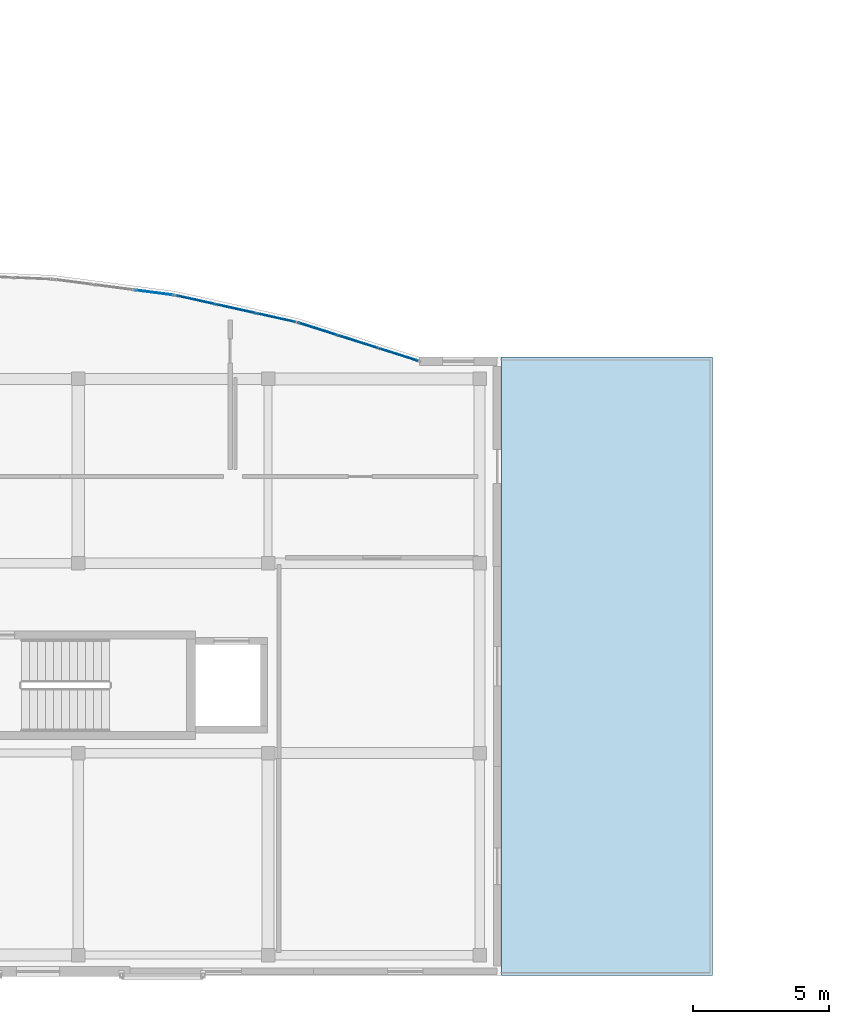
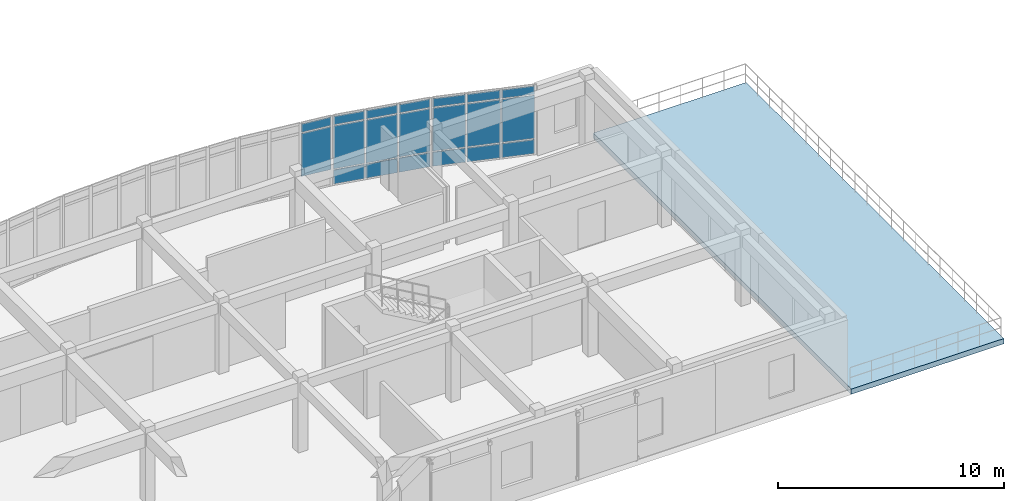
# One storey, part 65 of 91: 20 plates, 1 slab, 3 elements without a shape of their own.
"""IFC4 building model written with IfcOpenShell, lengths in metres."""

import ifcopenshell
import ifcopenshell.guid

model = None  # the IFC model being written
_history = None  # IfcOwnerHistory: only IFC2X3 demands one
_inside = {}  # id of a spatial element -> (the spatial element, [elements in it])
_under = {}  # id of a project, library or spatial element -> (it, [spatial elements below it])
_declared = {}  # id of a project -> (the project, [libraries it declares])
_typed = {}  # id of a type object -> (the type object, [elements of that type])
_made_of = {}  # id of a material, layer set ... -> (it, [elements and type objects made of it])


def new_model(schema):
    """Start an empty IFC model of exactly this schema.

    Asked for "IFC4X3", IfcOpenShell would pick the latest addendum, in which some entities
    have other attributes; the version numbers below select the first issue.
    IFC2X3 requires an IfcOwnerHistory on every rooted entity: one is made here for all.
    """
    global model, _history
    if schema == "IFC4X3":
        model = ifcopenshell.file(schema_version=(4, 3, 0, 0))
    else:
        model = ifcopenshell.file(schema=schema)
    _inside.clear()
    _under.clear()
    _declared.clear()
    _typed.clear()
    _made_of.clear()
    _history = None
    if model.schema == "IFC2X3":
        org = make("IfcOrganization", Name="unknown")
        user = make(
            "IfcPersonAndOrganization",
            ThePerson=make("IfcPerson", FamilyName="unknown"),
            TheOrganization=org,
        )
        app = make(
            "IfcApplication",
            ApplicationDeveloper=org,
            Version="unknown",
            ApplicationFullName="unknown",
            ApplicationIdentifier="unknown",
        )
        _history = make(
            "IfcOwnerHistory",
            OwningUser=user,
            OwningApplication=app,
            ChangeAction="ADDED",
            CreationDate=0,
        )
    return model


def make(cls, **values):
    """One entity of the class cls with the attributes given. An attribute that is None is left unset."""
    return model.create_entity(
        cls, **{name: value for name, value in values.items() if value is not None}
    )


def rooted(cls, **values):
    """An entity with a GlobalId (a new one), such as an element, a storey or a relation."""
    return make(cls, GlobalId=ifcopenshell.guid.new(), OwnerHistory=_history, **values)


def si_unit(unit_type, name, prefix=None):
    """IfcSIUnit, for example si_unit("LENGTHUNIT", "METRE", prefix="MILLI")."""
    return make("IfcSIUnit", UnitType=unit_type, Prefix=prefix, Name=name)


def assignment(units):
    """IfcUnitAssignment: the units of a project."""
    return None if units is None else make("IfcUnitAssignment", Units=units)


def point(xyz):
    """IfcCartesianPoint."""
    return None if xyz is None else make("IfcCartesianPoint", Coordinates=xyz)


def direction(xyz):
    """IfcDirection."""
    return None if xyz is None else make("IfcDirection", DirectionRatios=xyz)


def frame(location, z_axis=None, x_axis=None):
    """IfcAxis2Placement3D, a coordinate frame: its origin and axes. An axis left out is left unset."""
    return make(
        "IfcAxis2Placement3D",
        Location=point(location),
        Axis=direction(z_axis),
        RefDirection=direction(x_axis),
    )


def frame_2d(location, x_axis=None):
    """IfcAxis2Placement2D, a coordinate frame in the plane: its origin and x axis."""
    return make(
        "IfcAxis2Placement2D", Location=point(location), RefDirection=direction(x_axis)
    )


def origin():
    """The frame at (0, 0, 0) with its axes left unset."""
    return frame((0.0, 0.0, 0.0))


def origin_2d():
    """The frame at (0, 0) in the plane with its x axis left unset."""
    return frame_2d((0.0, 0.0))


def place(relative_to, where):
    """IfcLocalPlacement: puts the frame where relative to a parent placement (None: the world)."""
    return make(
        "IfcLocalPlacement", PlacementRelTo=relative_to, RelativePlacement=where
    )


def context(
    kind, dimensions, precision=None, world=None, true_north=None, identifier=None
):
    """IfcGeometricRepresentationContext, for example the 3D "Model" context."""
    return make(
        "IfcGeometricRepresentationContext",
        ContextIdentifier=identifier,
        ContextType=kind,
        CoordinateSpaceDimension=dimensions,
        Precision=precision,
        WorldCoordinateSystem=world,
        TrueNorth=true_north,
    )


def subcontext(parent, identifier, kind, view, scale=None):
    """IfcGeometricRepresentationSubContext, for example "Body" below "Model"."""
    return make(
        "IfcGeometricRepresentationSubContext",
        ContextIdentifier=identifier,
        ContextType=kind,
        ParentContext=parent,
        TargetScale=scale,
        TargetView=view,
    )


def project(units=None, contexts=None):
    """IfcProject with its units and contexts."""
    return rooted(
        "IfcProject",
        Name="project",
        RepresentationContexts=contexts,
        UnitsInContext=assignment(units),
    )


def spatial(cls, under=None, at=None, **own):
    """A site, building, storey or space (cls), placed at a placement, below another one or the project."""
    s = rooted(cls, ObjectPlacement=at, **own)
    if under is not None:
        _under.setdefault(under.id(), (under, []))[1].append(s)
    return s


def polyline(points):
    """IfcPolyline through the points."""
    return make("IfcPolyline", Points=[point(p) for p in points])


def profile(cls, at=None, kind="AREA", **sizes):
    """A parametric profile (cls). Its sizes go by their IFC names, for example OverallWidth=200.0."""
    return make(cls, ProfileType=kind, Position=at, **sizes)


def rectangle(**sizes):
    """IfcRectangleProfileDef."""
    return profile("IfcRectangleProfileDef", **sizes)


def outline(outer, holes=None, kind="AREA"):
    """IfcArbitraryClosedProfileDef: a profile drawn as a closed curve; with holes, ...WithVoids."""
    if holes is None:
        return make("IfcArbitraryClosedProfileDef", ProfileType=kind, OuterCurve=outer)
    return make(
        "IfcArbitraryProfileDefWithVoids",
        ProfileType=kind,
        OuterCurve=outer,
        InnerCurves=holes,
    )


def extrude(swept, where, along, depth):
    """IfcExtrudedAreaSolid: the profile swept, set in the frame where, extruded along a direction by depth."""
    return make(
        "IfcExtrudedAreaSolid",
        SweptArea=swept,
        Position=where,
        ExtrudedDirection=direction(along),
        Depth=depth,
    )


def shape(context_of_items, identifier, shape_type, items):
    """IfcShapeRepresentation: the items that make up one representation, for example the "Body"."""
    return make(
        "IfcShapeRepresentation",
        ContextOfItems=context_of_items,
        RepresentationIdentifier=identifier,
        RepresentationType=shape_type,
        Items=items,
    )


def material(Name=None, Category=None):
    """IfcMaterial."""
    return make("IfcMaterial", Name=Name, Category=Category)


def layer(
    of_material, thickness, ventilated=None, Name=None, Category=None, Priority=None
):
    """IfcMaterialLayer: one layer of a wall or slab, of a material (None: an air gap)."""
    return make(
        "IfcMaterialLayer",
        Material=of_material,
        LayerThickness=thickness,
        IsVentilated=ventilated,
        Name=Name,
        Category=Category,
        Priority=Priority,
    )


def layer_set(layers, Name=None):
    """IfcMaterialLayerSet."""
    return make("IfcMaterialLayerSet", MaterialLayers=layers, LayerSetName=Name)


def made_of(thing, what):
    """Note that an element or type object is made of a material, layer set ...; save() writes the relation."""
    if what is not None:
        _made_of.setdefault(what.id(), (what, []))[1].append(thing)
    return thing


def type_object(cls, material=None, **own):
    """A type object (cls), such as IfcWallType, which elements share."""
    return made_of(rooted(cls, **own), material)


def element(
    cls,
    number,
    at=None,
    inside=None,
    cuts=None,
    type_object=None,
    material=None,
    context=None,
    identifier="Body",
    shape_type=None,
    held_by="IfcProductDefinitionShape",
    body=None,
    shapes=None,
    **own,
):
    """One element of the class cls, such as IfcWall. Its Tag is "e" and its number.

    at: its placement. inside: the storey or other place that contains it. cuts: it is an
    opening in that element (IfcRelVoidsElement). A single representation is given by context,
    identifier, shape_type and body (its items); several are given by shapes. held_by: the class
    of the entity that holds the representations. save() writes the other relations.
    """
    e = rooted(cls, Tag="e%d" % number, ObjectPlacement=at, **own)
    if body is not None:
        shapes = [shape(context, identifier, shape_type, body)]
    if shapes is not None:
        e.Representation = make(held_by, Representations=shapes)
    if inside is not None:
        _inside.setdefault(inside.id(), (inside, []))[1].append(e)
    if cuts is not None:
        rooted(
            "IfcRelVoidsElement", RelatingBuildingElement=cuts, RelatedOpeningElement=e
        )
    if type_object is not None:
        _typed.setdefault(type_object.id(), (type_object, []))[1].append(e)
    return made_of(e, material)


def aggregate(whole, parts):
    """IfcRelAggregates: a whole, such as a stair, and the parts it consists of."""
    return rooted("IfcRelAggregates", RelatingObject=whole, RelatedObjects=parts)


def save(model, path):
    """Write the relations noted so far, then the file.

    IfcRelAggregates (storeys below a building ...), IfcRelContainedInSpatialStructure (elements
    in a storey), IfcRelDefinesByType, IfcRelAssociatesMaterial and IfcRelDeclares: one each for
    every whole, place, type object, material and project.
    """
    for whole, parts in _under.values():
        aggregate(whole, parts)
    for where, things in _inside.values():
        rooted(
            "IfcRelContainedInSpatialStructure",
            RelatedElements=things,
            RelatingStructure=where,
        )
    for kind, things in _typed.values():
        rooted("IfcRelDefinesByType", RelatedObjects=things, RelatingType=kind)
    for what, things in _made_of.values():
        rooted("IfcRelAssociatesMaterial", RelatedObjects=things, RelatingMaterial=what)
    for by, libraries in _declared.values():
        rooted("IfcRelDeclares", RelatingContext=by, RelatedDefinitions=libraries)
    model.write(path)


model = new_model("IFC4")

# Units and contexts
model_context = context("Model", 3, precision=1e-05, world=origin(), true_north=direction((0.0, 1.0)))
body_context = subcontext(model_context, "Body", "Model", "MODEL_VIEW")
ifc_project = project(units=[si_unit("LENGTHUNIT", "METRE"), si_unit("AREAUNIT", "SQUARE_METRE"), si_unit("VOLUMEUNIT", "CUBIC_METRE"), si_unit("PLANEANGLEUNIT", "RADIAN"), si_unit("MASSUNIT", "GRAM", prefix="KILO")], contexts=[model_context])

# Site, building, storey
site_placement = place(None, origin())
site = spatial("IfcSite", under=ifc_project, at=site_placement, CompositionType="ELEMENT")
building_placement = place(site_placement, origin())
building = spatial("IfcBuilding", under=site, at=building_placement, Name="Valcora Specialist Clinic", CompositionType="ELEMENT")
storey_placement = place(building_placement, frame((0.0, 0.0, 13.60009765625)))
storey = spatial("IfcBuildingStorey", under=building, at=storey_placement, Name="L03", CompositionType="ELEMENT", Elevation=13.60009765625)

# Curtain wall, plates
ifc_material_1 = material(Name="Anodized Bronze Aluminium 6063-T6", Category="aluminium")
ifc_layer_1 = layer(ifc_material_1, 0.175048828125)
ifc_layer_set_1 = layer_set([ifc_layer_1], Name="Anodized Bronze Aluminium 6063-T6")
curtain_wall_type = type_object("IfcCurtainWallType", Name="TY-CW-ARC40", PredefinedType="NOTDEFINED", material=ifc_layer_set_1)
curtain_wall_1_placement = place(storey_placement, origin())
curtain_wall_1 = element("IfcCurtainWall", 1, at=curtain_wall_1_placement, inside=storey, type_object=curtain_wall_type, Name="Curtain wall CW-L03-216", PredefinedType="NOTDEFINED")
ifc_material_2 = material(Name="Low-E Laminated Insulating Glass", Category="glass")
ifc_layer_2 = layer(ifc_material_2, 0.028076171875)
ifc_layer_set_2 = layer_set([ifc_layer_2], Name="Low-E Laminated Insulating Glass")
plate_type_1 = type_object("IfcPlateType", Name="TY-CWP-GLZ28", PredefinedType="CURTAIN_PANEL", material=ifc_layer_set_2)
plate_1_placement = place(storey_placement, frame((96.73779296875, 24.912841796875, 0.88232421875), z_axis=(0.0, 0.0, 1.0), x_axis=(0.976278614432, -0.216518052372, 0.0)))
plate_1 = element("IfcPlate", 2, at=plate_1_placement, type_object=plate_type_1, Name="CW-ARC-40 panel 1.2", PredefinedType="CURTAIN_PANEL", context=body_context, shape_type="SweptSolid", body=[
    extrude(rectangle(XDim=1.4345703125, YDim=0.028076171875, at=origin_2d()), origin(), (0.0, 0.0, 1.0), 2.31494140625),
])
plate_2_placement = place(storey_placement, frame((96.73779296875, 24.912841796875, 3.2626953125), z_axis=(0.0, 0.0, 1.0), x_axis=(0.976278614432, -0.216518052372, 0.0)))
plate_2 = element("IfcPlate", 3, at=plate_2_placement, type_object=plate_type_1, Name="CW-ARC-40 panel 1.3", PredefinedType="CURTAIN_PANEL", context=body_context, shape_type="SweptSolid", body=[
    extrude(rectangle(XDim=1.4345703125, YDim=0.028076171875, at=origin_2d()), origin(), (0.0, 0.0, 1.0), 0.452392578125),
])
plate_3_placement = place(storey_placement, frame((98.217529296875, 24.58447265625, 0.88232421875), z_axis=(0.0, 0.0, 1.0), x_axis=(0.976278614432, -0.216518052372, 0.0)))
plate_3 = element("IfcPlate", 4, at=plate_3_placement, type_object=plate_type_1, Name="CW-ARC-40 panel 2.2", PredefinedType="CURTAIN_PANEL", context=body_context, shape_type="SweptSolid", body=[
    extrude(rectangle(XDim=1.467041015625, YDim=0.028076171875, at=origin_2d()), origin(), (0.0, 0.0, 1.0), 2.31494140625),
])
plate_4_placement = place(storey_placement, frame((98.217529296875, 24.58447265625, 3.2626953125), z_axis=(0.0, 0.0, 1.0), x_axis=(0.976278614432, -0.216518052372, 0.0)))
plate_4 = element("IfcPlate", 5, at=plate_4_placement, type_object=plate_type_1, Name="CW-ARC-40 panel 2.3", PredefinedType="CURTAIN_PANEL", context=body_context, shape_type="SweptSolid", body=[
    extrude(rectangle(XDim=1.467041015625, YDim=0.028076171875, at=origin_2d()), origin(), (0.0, 0.0, 1.0), 0.452392578125),
])
plate_5_placement = place(storey_placement, frame((99.697265625, 24.25634765625, 0.88232421875), z_axis=(0.0, 0.0, 1.0), x_axis=(0.976278614432, -0.216518052372, 0.0)))
plate_5 = element("IfcPlate", 6, at=plate_5_placement, type_object=plate_type_1, Name="CW-ARC-40 panel 3.2", PredefinedType="CURTAIN_PANEL", context=body_context, shape_type="SweptSolid", body=[
    extrude(rectangle(XDim=1.4345703125, YDim=0.028076171875, at=origin_2d()), origin(), (0.0, 0.0, 1.0), 2.31494140625),
])
plate_6_placement = place(storey_placement, frame((99.697265625, 24.25634765625, 3.2626953125), z_axis=(0.0, 0.0, 1.0), x_axis=(0.976278614432, -0.216518052372, 0.0)))
plate_6 = element("IfcPlate", 7, at=plate_6_placement, type_object=plate_type_1, Name="CW-ARC-40 panel 3.3", PredefinedType="CURTAIN_PANEL", context=body_context, shape_type="SweptSolid", body=[
    extrude(rectangle(XDim=1.4345703125, YDim=0.028076171875, at=origin_2d()), origin(), (0.0, 0.0, 1.0), 0.452392578125),
])

curtain_wall_2_placement = place(storey_placement, origin())
curtain_wall_2 = element("IfcCurtainWall", 8, at=curtain_wall_2_placement, inside=storey, type_object=curtain_wall_type, Name="Curtain wall CW-L03-215", PredefinedType="NOTDEFINED")
ifc_layer_3 = layer(ifc_material_2, 0.033935546875)
ifc_layer_set_3 = layer_set([ifc_layer_3], Name="Low-E Laminated Insulating Glass")
plate_type_2 = type_object("IfcPlateType", Name="TY-CWP-GLZ34", PredefinedType="CURTAIN_PANEL", material=ifc_layer_set_3)
plate_7_placement = place(storey_placement, frame((95.2099609375, 25.182373046875, 0.88232421875), z_axis=(0.0, 0.0, 1.0), x_axis=(0.991514060421, -0.129999492259, 0.0)))
plate_7 = element("IfcPlate", 9, at=plate_7_placement, type_object=plate_type_2, Name="CW-ARC-40 panel 3.2", PredefinedType="CURTAIN_PANEL", context=body_context, shape_type="SweptSolid", body=[
    extrude(rectangle(XDim=1.410888671875, YDim=0.033935546875, at=origin_2d()), origin(), (0.0, 0.0, 1.0), 2.31494140625),
])
plate_8_placement = place(storey_placement, frame((95.2099609375, 25.182373046875, 3.2626953125), z_axis=(0.0, 0.0, 1.0), x_axis=(0.991514060421, -0.129999492259, 0.0)))
plate_8 = element("IfcPlate", 10, at=plate_8_placement, type_object=plate_type_2, Name="CW-ARC-40 panel 3.3", PredefinedType="CURTAIN_PANEL", context=body_context, shape_type="SweptSolid", body=[
    extrude(rectangle(XDim=1.410888671875, YDim=0.033935546875, at=origin_2d()), origin(), (0.0, 0.0, 1.0), 0.452392578125),
])
aggregate(curtain_wall_2, [plate_7, plate_8])

curtain_wall_3_placement = place(storey_placement, origin())
curtain_wall_3 = element("IfcCurtainWall", 11, at=curtain_wall_3_placement, inside=storey, type_object=curtain_wall_type, Name="Curtain wall CW-L03-217", PredefinedType="NOTDEFINED")
plate_9_placement = place(storey_placement, frame((101.22900390625, 23.842529296875, 0.88232421875), z_axis=(0.0, 0.0, 1.0), x_axis=(0.952916356972, -0.303233270958, 0.0)))
plate_9 = element("IfcPlate", 12, at=plate_9_placement, type_object=plate_type_2, Name="CW-ARC-40 panel 1.2", PredefinedType="CURTAIN_PANEL", context=body_context, shape_type="SweptSolid", body=[
    extrude(rectangle(XDim=1.482177734375, YDim=0.033935546875, at=origin_2d()), origin(), (0.0, 0.0, 1.0), 2.31494140625),
])
plate_10_placement = place(storey_placement, frame((101.22900390625, 23.842529296875, 3.2626953125), z_axis=(0.0, 0.0, 1.0), x_axis=(0.952916356972, -0.303233270958, 0.0)))
plate_10 = element("IfcPlate", 13, at=plate_10_placement, type_object=plate_type_2, Name="CW-ARC-40 panel 1.3", PredefinedType="CURTAIN_PANEL", context=body_context, shape_type="SweptSolid", body=[
    extrude(rectangle(XDim=1.482177734375, YDim=0.033935546875, at=origin_2d()), origin(), (0.0, 0.0, 1.0), 0.452392578125),
])
plate_11_placement = place(storey_placement, frame((102.71875, 23.368408203125, 0.88232421875), z_axis=(0.0, 0.0, 1.0), x_axis=(0.952916356972, -0.303233270958, 0.0)))
plate_11 = element("IfcPlate", 14, at=plate_11_placement, type_object=plate_type_2, Name="CW-ARC-40 panel 2.2", PredefinedType="CURTAIN_PANEL", context=body_context, shape_type="SweptSolid", body=[
    extrude(rectangle(XDim=1.5146484375, YDim=0.033935546875, at=origin_2d()), origin(), (0.0, 0.0, 1.0), 2.31494140625),
])
plate_12_placement = place(storey_placement, frame((102.71875, 23.368408203125, 3.2626953125), z_axis=(0.0, 0.0, 1.0), x_axis=(0.952916356972, -0.303233270958, 0.0)))
plate_12 = element("IfcPlate", 15, at=plate_12_placement, type_object=plate_type_2, Name="CW-ARC-40 panel 2.3", PredefinedType="CURTAIN_PANEL", context=body_context, shape_type="SweptSolid", body=[
    extrude(rectangle(XDim=1.5146484375, YDim=0.033935546875, at=origin_2d()), origin(), (0.0, 0.0, 1.0), 0.452392578125),
])
plate_13_placement = place(storey_placement, frame((104.20849609375, 22.89453125, 0.88232421875), z_axis=(0.0, 0.0, 1.0), x_axis=(0.952916356972, -0.303233270958, 0.0)))
plate_13 = element("IfcPlate", 16, at=plate_13_placement, type_object=plate_type_2, Name="CW-ARC-40 panel 3.2", PredefinedType="CURTAIN_PANEL", context=body_context, shape_type="SweptSolid", body=[
    extrude(rectangle(XDim=1.482177734375, YDim=0.033935546875, at=origin_2d()), origin(), (0.0, 0.0, 1.0), 2.31494140625),
])
plate_14_placement = place(storey_placement, frame((104.20849609375, 22.89453125, 3.2626953125), z_axis=(0.0, 0.0, 1.0), x_axis=(0.952916356972, -0.303233270958, 0.0)))
plate_14 = element("IfcPlate", 17, at=plate_14_placement, type_object=plate_type_2, Name="CW-ARC-40 panel 3.3", PredefinedType="CURTAIN_PANEL", context=body_context, shape_type="SweptSolid", body=[
    extrude(rectangle(XDim=1.482177734375, YDim=0.033935546875, at=origin_2d()), origin(), (0.0, 0.0, 1.0), 0.452392578125),
])

# Plate
ifc_material_3 = material(Name="Insulated Spandrel Panel")
ifc_layer_4 = layer(ifc_material_3, 0.044921875)
ifc_layer_set_4 = layer_set([ifc_layer_4], Name="Insulated Spandrel Panel")
plate_type_3 = type_object("IfcPlateType", Name="TY-CWP-SPN45", PredefinedType="SHEET", material=ifc_layer_set_4)
plate_15_placement = place(storey_placement, frame((96.73779296875, 24.912841796875, 0.06494140625), z_axis=(0.0, 0.0, 1.0), x_axis=(0.976278614432, -0.216518052372, 0.0)))
plate_15 = element("IfcPlate", 18, at=plate_15_placement, type_object=plate_type_3, Name="CW-ARC-40 panel 1.1", PredefinedType="SHEET", context=body_context, shape_type="SweptSolid", body=[
    extrude(rectangle(XDim=1.4345703125, YDim=0.044921875, at=origin_2d()), origin(), (0.0, 0.0, 1.0), 0.75244140625),
])

plate_16_placement = place(storey_placement, frame((98.217529296875, 24.58447265625, 0.06494140625), z_axis=(0.0, 0.0, 1.0), x_axis=(0.976278614432, -0.216518052372, 0.0)))
plate_16 = element("IfcPlate", 19, at=plate_16_placement, type_object=plate_type_3, Name="CW-ARC-40 panel 2.1", PredefinedType="SHEET", context=body_context, shape_type="SweptSolid", body=[
    extrude(rectangle(XDim=1.467041015625, YDim=0.044921875, at=origin_2d()), origin(), (0.0, 0.0, 1.0), 0.75244140625),
])

plate_17_placement = place(storey_placement, frame((99.697265625, 24.25634765625, 0.06494140625), z_axis=(0.0, 0.0, 1.0), x_axis=(0.976278614432, -0.216518052372, 0.0)))
plate_17 = element("IfcPlate", 20, at=plate_17_placement, type_object=plate_type_3, Name="CW-ARC-40 panel 3.1", PredefinedType="SHEET", context=body_context, shape_type="SweptSolid", body=[
    extrude(rectangle(XDim=1.4345703125, YDim=0.044921875, at=origin_2d()), origin(), (0.0, 0.0, 1.0), 0.75244140625),
])

aggregate(curtain_wall_1, [plate_15, plate_1, plate_2, plate_16, plate_3, plate_4, plate_17, plate_5, plate_6])

plate_18_placement = place(storey_placement, frame((101.22900390625, 23.842529296875, 0.06494140625), z_axis=(0.0, 0.0, 1.0), x_axis=(0.952916356972, -0.303233270958, 0.0)))
plate_18 = element("IfcPlate", 21, at=plate_18_placement, type_object=plate_type_3, Name="CW-ARC-40 panel 1.1", PredefinedType="SHEET", context=body_context, shape_type="SweptSolid", body=[
    extrude(rectangle(XDim=1.482177734375, YDim=0.044921875, at=origin_2d()), origin(), (0.0, 0.0, 1.0), 0.75244140625),
])

plate_19_placement = place(storey_placement, frame((102.71875, 23.368408203125, 0.06494140625), z_axis=(0.0, 0.0, 1.0), x_axis=(0.952916356972, -0.303233270958, 0.0)))
plate_19 = element("IfcPlate", 22, at=plate_19_placement, type_object=plate_type_3, Name="CW-ARC-40 panel 2.1", PredefinedType="SHEET", context=body_context, shape_type="SweptSolid", body=[
    extrude(rectangle(XDim=1.5146484375, YDim=0.044921875, at=origin_2d()), origin(), (0.0, 0.0, 1.0), 0.75244140625),
])

plate_20_placement = place(storey_placement, frame((104.20849609375, 22.89453125, 0.06494140625), z_axis=(0.0, 0.0, 1.0), x_axis=(0.952916356972, -0.303233270958, 0.0)))
plate_20 = element("IfcPlate", 23, at=plate_20_placement, type_object=plate_type_3, Name="CW-ARC-40 panel 3.1", PredefinedType="SHEET", context=body_context, shape_type="SweptSolid", body=[
    extrude(rectangle(XDim=1.482177734375, YDim=0.044921875, at=origin_2d()), origin(), (0.0, 0.0, 1.0), 0.75244140625),
])

aggregate(curtain_wall_3, [plate_18, plate_9, plate_10, plate_19, plate_11, plate_12, plate_20, plate_13, plate_14])

# Slab
ifc_material_4 = material(Name="Concrete C40/50", Category="concrete")
ifc_layer_5 = layer(ifc_material_4, 0.284912109375)
ifc_layer_set_5 = layer_set([ifc_layer_5], Name="Concrete C40/50")
slab_type = type_object("IfcSlabType", Name="TY-SL-TER285", PredefinedType="FLOOR", material=ifc_layer_set_5)
slab_placement = place(storey_placement, frame((0.0, 0.0, -0.28515625)))
element("IfcSlab", 24, at=slab_placement, inside=storey, type_object=slab_type, Name="V6 L03 East stepped roof garden SL-L03-073", PredefinedType="FLOOR", context=body_context, shape_type="SweptSolid", body=[
    extrude(outline(polyline([(108.0, 0.0), (115.800048828125, 0.0), (115.800048828125, 22.800048828125), (108.0, 22.800048828125), (108.0, 0.0)])), origin(), (0.0, 0.0, 1.0), 0.28515625),
])

save(model, "model.ifc")
